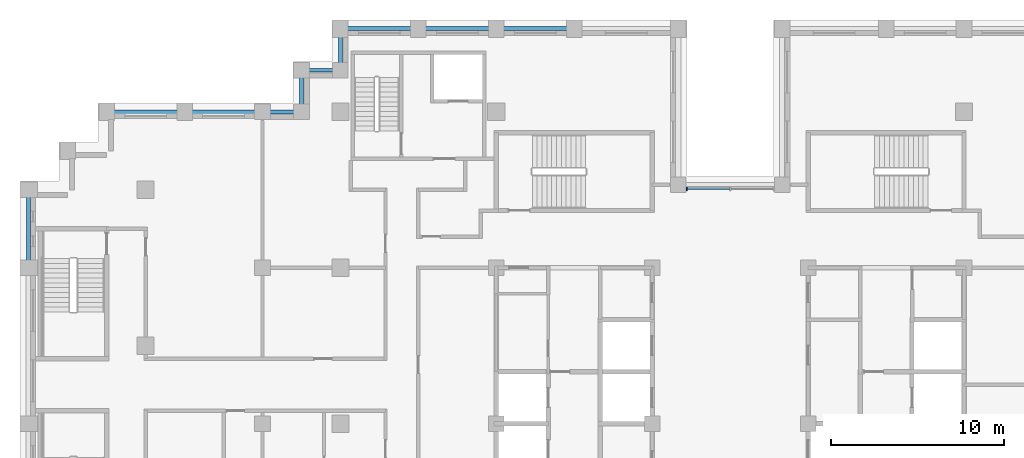
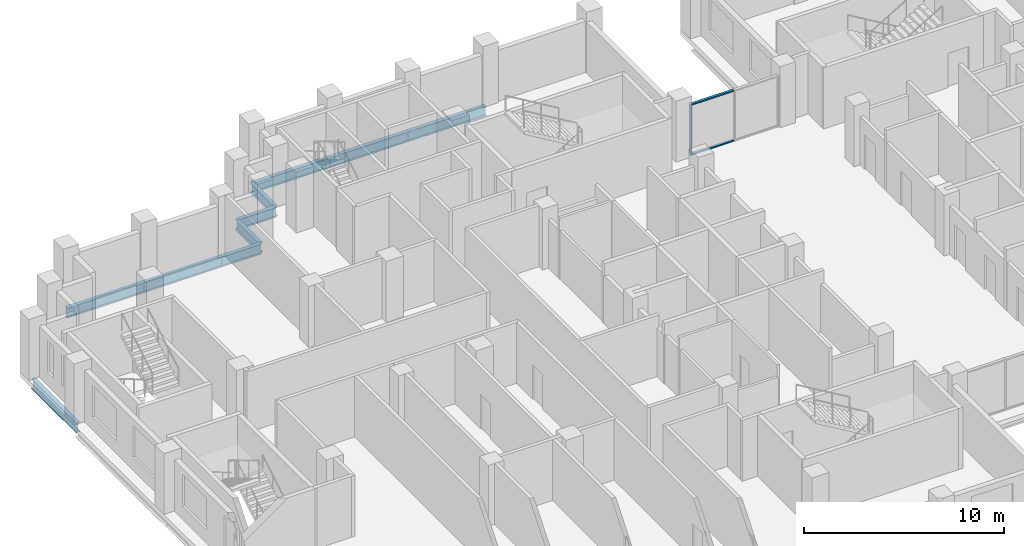
# One storey, part 3 of 15: 10 beams, 3 members, 1 element without a shape of its own.
"""IFC4 building model written with IfcOpenShell, lengths in metres."""

from ifc_helpers import new_model, si_unit, direction, frame, origin, origin_2d, place, context, subcontext, project, spatial, rectangle, i_section, extrude, material, layer, layer_set, material_profile, profile_set, type_object, element, aggregate, save


model = new_model("IFC4")

# Units and contexts
model_context = context("Model", 3, precision=1e-05, world=origin(), true_north=direction((0.0, 1.0)))
body_context = subcontext(model_context, "Body", "Model", "MODEL_VIEW")
ifc_project = project(units=[si_unit("LENGTHUNIT", "METRE"), si_unit("AREAUNIT", "SQUARE_METRE"), si_unit("VOLUMEUNIT", "CUBIC_METRE"), si_unit("PLANEANGLEUNIT", "RADIAN"), si_unit("MASSUNIT", "GRAM", prefix="KILO")], contexts=[model_context])

# Site, building, storey
site_placement = place(None, origin())
site = spatial("IfcSite", under=ifc_project, at=site_placement, CompositionType="ELEMENT")
building_placement = place(site_placement, origin())
building = spatial("IfcBuilding", under=site, at=building_placement, Name="Corbelhall Arena Tower", CompositionType="ELEMENT")
storey_placement = place(building_placement, frame((0.0, 0.0, 224.0)))
storey = spatial("IfcBuildingStorey", under=building, at=storey_placement, Name="L47", CompositionType="ELEMENT", Elevation=224.0)

# Curtain wall, members
ifc_material_1 = material(Name="Aluminium black anodised", Category="aluminium")
ifc_layer = layer(ifc_material_1, 0.199951171875)
ifc_layer_set = layer_set([ifc_layer], Name="EV-CW1 Slot back wall")
curtain_wall_type = type_object("IfcCurtainWallType", Name="EV-CW1 Slot back wall", PredefinedType="NOTDEFINED", material=ifc_layer_set)
curtain_wall_placement = place(storey_placement, origin())
curtain_wall = element("IfcCurtainWall", 1, at=curtain_wall_placement, inside=storey, type_object=curtain_wall_type, Name="Curtain wall CW1", PredefinedType="NOTDEFINED")
ifc_material_profile_1 = material_profile(ifc_material_1, rectangle(XDim=0.199951171875, YDim=0.074951171875, at=origin_2d()))
ifc_profile_set_1 = profile_set([ifc_material_profile_1], Name="Aluminium black anodised")
member_type_1 = type_object("IfcMemberType", Name="EV-CW1-MULLION", PredefinedType="MULLION", material=ifc_profile_set_1)
member_1_placement = place(storey_placement, frame((-2.512451171875, 13.550048828125, 0.0), z_axis=(0.0, 0.0, 1.0), x_axis=(0.0, -1.0, 0.0)))
member_1 = element("IfcMember", 2, at=member_1_placement, type_object=member_type_1, Name="CW1 mullion 3", PredefinedType="MULLION", context=body_context, shape_type="SweptSolid", body=[
    extrude(rectangle(XDim=0.199951171875, YDim=0.074951171875, at=origin_2d()), origin(), (0.0, 0.0, 1.0), 3.1201171875),
])
ifc_material_profile_2 = material_profile(ifc_material_1, rectangle(XDim=0.14990234375, YDim=0.074951171875, at=origin_2d()))
ifc_profile_set_2 = profile_set([ifc_material_profile_2], Name="Aluminium black anodised")
member_type_2 = type_object("IfcMemberType", Name="EV-CW1-TRANSOM", PredefinedType="USERDEFINED", material=ifc_profile_set_2)
member_2_placement = place(storey_placement, frame((-0.03759765625, 13.550048828125, 0.03759765625), z_axis=(-1.0, 0.0, 0.0), x_axis=(0.0, -1.0, 0.0)))
member_2 = element("IfcMember", 3, at=member_2_placement, type_object=member_type_2, Name="CW1 transom 2.1", ObjectType="transom", PredefinedType="USERDEFINED", context=body_context, shape_type="SweptSolid", body=[
    extrude(rectangle(XDim=0.14990234375, YDim=0.074951171875, at=origin_2d()), origin(), (0.0, 0.0, 1.0), 2.4375),
])
member_3_placement = place(storey_placement, frame((-0.03759765625, 13.550048828125, 3.08251953125), z_axis=(-1.0, 0.0, 0.0), x_axis=(0.0, -1.0, 0.0)))
member_3 = element("IfcMember", 4, at=member_3_placement, type_object=member_type_2, Name="CW1 transom 2.2", ObjectType="transom", PredefinedType="USERDEFINED", context=body_context, shape_type="SweptSolid", body=[
    extrude(rectangle(XDim=0.14990234375, YDim=0.074951171875, at=origin_2d()), origin(), (0.0, 0.0, 1.0), 2.4375),
])
aggregate(curtain_wall, [member_1, member_2, member_3])

# Beams
ifc_material_2 = material(Name="Steel ASTM A992 Gr50", Category="steel")
ifc_material_profile_3 = material_profile(ifc_material_2, i_section(OverallWidth=0.228271484375, OverallDepth=0.607177734375, WebThickness=0.01123046875, FlangeThickness=0.017333984375, at=origin_2d()))
ifc_profile_set_3 = profile_set([ifc_material_profile_3], Name="Steel ASTM A992 Gr50")
beam_type = type_object("IfcBeamType", Name="ST-SPANDREL-W24x76", PredefinedType="SPANDREL", material=ifc_profile_set_3)
for number, where, z_axis, x_axis, name in (
    (5, (-40.5, 9.0, -0.58349609375), (0.0, 1.0, 0.0), (-1.0, 0.0, 0.0), "Beam SP 2"),
    (6, (-31.5, 18.0, -0.58349609375), (1.0, 0.0, 0.0), (0.0, 1.0, 0.0), "Beam SP 5"),
    (7, (-36.0, 18.0, -0.58349609375), (1.0, 0.0, 0.0), (0.0, 1.0, 0.0), "Beam SP 6"),
    (8, (-13.5, 22.800048828125, -0.58349609375), (1.0, 0.0, 0.0), (0.0, 1.0, 0.0), "Beam SP 20"),
    (9, (-18.0, 22.800048828125, -0.58349609375), (1.0, 0.0, 0.0), (0.0, 1.0, 0.0), "Beam SP 21"),
    (10, (-22.5, 22.800048828125, -0.58349609375), (1.0, 0.0, 0.0), (0.0, 1.0, 0.0), "Beam SP 22"),
):
    element("IfcBeam", number, at=place(storey_placement, frame(where, z_axis=z_axis, x_axis=x_axis)), inside=storey, type_object=beam_type, Name=name, PredefinedType="SPANDREL", context=body_context, shape_type="SweptSolid", body=[
        extrude(i_section(OverallWidth=0.228271484375, OverallDepth=0.607177734375, WebThickness=0.01123046875, FlangeThickness=0.017333984375, at=origin_2d()), origin(), (0.0, 0.0, 1.0), 4.5),
    ])
beam_1_placement = place(storey_placement, frame((-27.0, 18.0, -0.58349609375), z_axis=(1.0, 0.0, 0.0), x_axis=(0.0, 1.0, 0.0)))
element("IfcBeam", 11, at=beam_1_placement, inside=storey, type_object=beam_type, Name="Beam SP 33", PredefinedType="SPANDREL", context=body_context, shape_type="SweptSolid", body=[
    extrude(i_section(OverallWidth=0.228271484375, OverallDepth=0.607177734375, WebThickness=0.01123046875, FlangeThickness=0.017333984375, at=origin_2d()), origin(), (0.0, 0.0, 1.0), 2.25),
])
beam_2_placement = place(storey_placement, frame((-22.5, 20.39990234375, -0.58349609375), z_axis=(0.0, 1.0, 0.0), x_axis=(-1.0, 0.0, 0.0)))
element("IfcBeam", 12, at=beam_2_placement, inside=storey, type_object=beam_type, Name="Beam SP 42", PredefinedType="SPANDREL", context=body_context, shape_type="SweptSolid", body=[
    extrude(i_section(OverallWidth=0.228271484375, OverallDepth=0.607177734375, WebThickness=0.01123046875, FlangeThickness=0.017333984375, at=origin_2d()), origin(), (0.0, 0.0, 1.0), 2.400146484375),
])
beam_3_placement = place(storey_placement, frame((-24.75, 20.39990234375, -0.58349609375), z_axis=(1.0, 0.0, 0.0), x_axis=(0.0, 1.0, 0.0)))
element("IfcBeam", 13, at=beam_3_placement, inside=storey, type_object=beam_type, Name="Beam SP 43", PredefinedType="SPANDREL", context=body_context, shape_type="SweptSolid", body=[
    extrude(i_section(OverallWidth=0.228271484375, OverallDepth=0.607177734375, WebThickness=0.01123046875, FlangeThickness=0.017333984375, at=origin_2d()), origin(), (0.0, 0.0, 1.0), 2.25),
])
beam_4_placement = place(storey_placement, frame((-24.75, 18.0, -0.58349609375), z_axis=(0.0, 1.0, 0.0), x_axis=(-1.0, 0.0, 0.0)))
element("IfcBeam", 14, at=beam_4_placement, inside=storey, type_object=beam_type, Name="Beam SP 44", PredefinedType="SPANDREL", context=body_context, shape_type="SweptSolid", body=[
    extrude(i_section(OverallWidth=0.228271484375, OverallDepth=0.607177734375, WebThickness=0.01123046875, FlangeThickness=0.017333984375, at=origin_2d()), origin(), (0.0, 0.0, 1.0), 2.39990234375),
])

save(model, "model.ifc")
